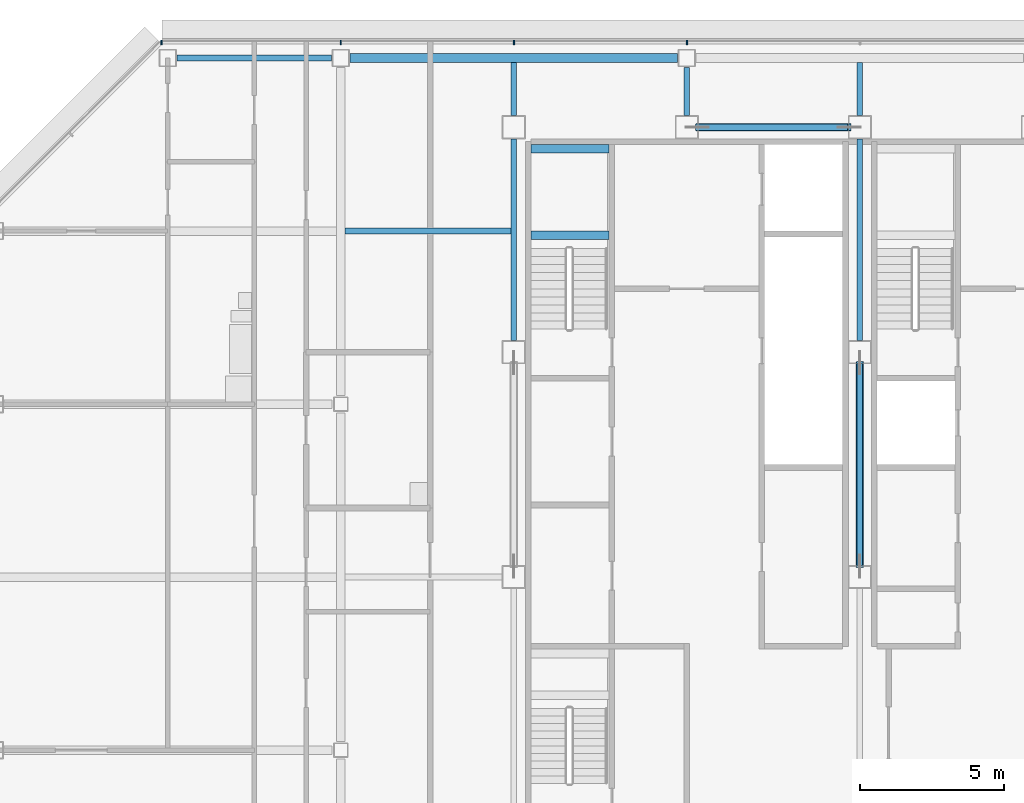
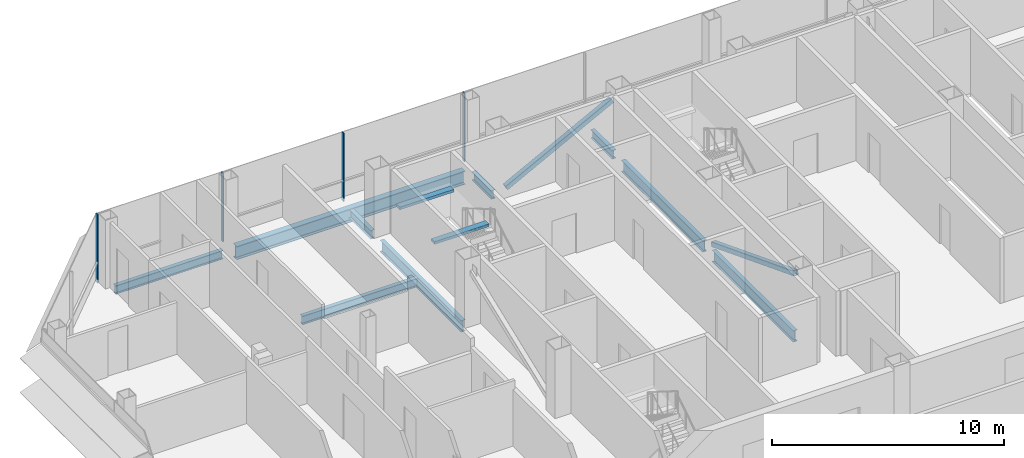
# One storey, part 13 of 27: 11 beams, 6 members, 1 element without a shape of its own.
"""IFC4 building model written with IfcOpenShell, lengths in metres."""

from ifc_helpers import new_model, si_unit, direction, frame, origin, origin_2d, place, context, subcontext, project, spatial, rectangle, hollow_rectangle, i_section, extrude, material, material_profile, profile_set, type_object, element, aggregate, save


model = new_model("IFC4")

# Units and contexts
model_context = context("Model", 3, precision=1e-05, world=origin(), true_north=direction((0.0, 1.0)))
body_context = subcontext(model_context, "Body", "Model", "MODEL_VIEW")
ifc_project = project(units=[si_unit("LENGTHUNIT", "METRE"), si_unit("AREAUNIT", "SQUARE_METRE"), si_unit("VOLUMEUNIT", "CUBIC_METRE"), si_unit("PLANEANGLEUNIT", "RADIAN"), si_unit("MASSUNIT", "GRAM", prefix="KILO")], contexts=[model_context])

# Site, building, storey
site_placement = place(None, origin())
site = spatial("IfcSite", under=ifc_project, at=site_placement, CompositionType="ELEMENT")
building_placement = place(site_placement, origin())
building = spatial("IfcBuilding", under=site, at=building_placement, Name="Sorahane Residences", CompositionType="ELEMENT")
storey_placement = place(building_placement, frame((0.0, 0.0, 246.800048828125)))
storey = spatial("IfcBuildingStorey", under=building, at=storey_placement, Name="L58", CompositionType="ELEMENT", Elevation=246.800048828125)

# Members
ifc_material_1 = material(Name="Steel Q355B", Category="steel")
ifc_material_profile_1 = material_profile(ifc_material_1, hollow_rectangle(XDim=0.25, YDim=0.25, WallThickness=0.013916015625, InnerFilletRadius=0.007080078125, OuterFilletRadius=0.02099609375, at=origin_2d()), Name="RHS 250x250x14")
ifc_profile_set_1 = profile_set([ifc_material_profile_1], Name="Steel Q355B")
member_type_1 = type_object("IfcMemberType", Name="Core brace RHS 250x250x14 Q355B", PredefinedType="BRACE", material=ifc_profile_set_1)
member_1_placement = place(storey_placement, frame((12.365234375, 45.60009765625, 0.106689453125), z_axis=(0.886099769192, 0.0, 0.46349455125), x_axis=(0.0, 1.0, 0.0)))
element("IfcMember", 1, at=member_1_placement, inside=storey, type_object=member_type_1, Name="Core brace L58 y45.6-2", PredefinedType="BRACE", context=body_context, shape_type="SweptSolid", body=[
    extrude(hollow_rectangle(XDim=0.25, YDim=0.25, WallThickness=0.013916015625, InnerFilletRadius=0.007080078125, OuterFilletRadius=0.02099609375, at=origin_2d()), origin(), (0.0, 0.0, 1.0), 5.94677734375),
])
member_2_placement = place(storey_placement, frame((18.0, 37.42724609375, 0.114501953125), z_axis=(0.0, -0.932112994653, 0.362167592697), x_axis=(1.0, 0.0, 0.0)))
element("IfcMember", 2, at=member_2_placement, inside=storey, type_object=member_type_1, Name="Core brace L58 x18-1", PredefinedType="BRACE", context=body_context, shape_type="SweptSolid", body=[
    extrude(hollow_rectangle(XDim=0.25, YDim=0.25, WallThickness=0.013916015625, InnerFilletRadius=0.007080078125, OuterFilletRadius=0.02099609375, at=origin_2d()), origin(), (0.0, 0.0, 1.0), 7.568115234375),
])

# Curtain wall, members
ifc_material_2 = material(Name="Dark low-e glass and black anodised aluminium", Category="aluminium")
curtain_wall_type = type_object("IfcCurtainWallType", Name="Curtain wall CW-1 Typical unitised wall", PredefinedType="NOTDEFINED", material=ifc_material_2)
curtain_wall_placement = place(storey_placement, origin())
curtain_wall = element("IfcCurtainWall", 3, at=curtain_wall_placement, inside=storey, type_object=curtain_wall_type, Name="CW-1 curtain wall L58 N1", PredefinedType="NOTDEFINED")
ifc_material_3 = material(Name="Black anodised aluminium", Category="aluminium")
ifc_material_profile_2 = material_profile(ifc_material_3, rectangle(XDim=0.159912109375, YDim=0.050048828125, at=origin_2d()), Name="Curtain wall mullion CW-1 black anodised aluminium 50x160")
ifc_profile_set_2 = profile_set([ifc_material_profile_2], Name="Black anodised aluminium")
member_type_2 = type_object("IfcMemberType", Name="Curtain wall mullion CW-1 black anodised aluminium 50x160", PredefinedType="MULLION", material=ifc_profile_set_2)
member_3_placement = place(storey_placement, frame((12.0, 48.5400390625, -0.179931640625), z_axis=(0.0, 0.0, 1.0), x_axis=(0.0, 1.0, 0.0)))
member_3 = element("IfcMember", 4, at=member_3_placement, type_object=member_type_2, Name="CW-1 mullion L58 N1.7", PredefinedType="MULLION", context=body_context, shape_type="SweptSolid", body=[
    extrude(rectangle(XDim=0.159912109375, YDim=0.050048828125, at=origin_2d()), origin(), (0.0, 0.0, 1.0), 3.599853515625),
])
member_4_placement = place(storey_placement, frame((6.0, 48.5400390625, -0.179931640625), z_axis=(0.0, 0.0, 1.0), x_axis=(0.0, 1.0, 0.0)))
member_4 = element("IfcMember", 5, at=member_4_placement, type_object=member_type_2, Name="CW-1 mullion L58 N1.8", PredefinedType="MULLION", context=body_context, shape_type="SweptSolid", body=[
    extrude(rectangle(XDim=0.159912109375, YDim=0.050048828125, at=origin_2d()), origin(), (0.0, 0.0, 1.0), 3.599853515625),
])
member_5_placement = place(storey_placement, frame((0.0, 48.5400390625, -0.179931640625), z_axis=(0.0, 0.0, 1.0), x_axis=(0.0, 1.0, 0.0)))
member_5 = element("IfcMember", 6, at=member_5_placement, type_object=member_type_2, Name="CW-1 mullion L58 N1.9", PredefinedType="MULLION", context=body_context, shape_type="SweptSolid", body=[
    extrude(rectangle(XDim=0.159912109375, YDim=0.050048828125, at=origin_2d()), origin(), (0.0, 0.0, 1.0), 3.599853515625),
])
member_6_placement = place(storey_placement, frame((-6.2236328125, 48.5400390625, -0.179931640625), z_axis=(0.0, 0.0, 1.0), x_axis=(0.0, 1.0, 0.0)))
member_6 = element("IfcMember", 7, at=member_6_placement, type_object=member_type_2, Name="CW-1 mullion L58 N1.10", PredefinedType="MULLION", context=body_context, shape_type="SweptSolid", body=[
    extrude(rectangle(XDim=0.159912109375, YDim=0.050048828125, at=origin_2d()), origin(), (0.0, 0.0, 1.0), 3.599853515625),
])
aggregate(curtain_wall, [member_3, member_4, member_5, member_6])

# Beams
ifc_material_4 = material(Name="Concrete C40", Category="concrete")
ifc_material_profile_3 = material_profile(ifc_material_4, rectangle(XDim=0.300048828125, YDim=0.139892578125, at=origin_2d()), Name="300x140")
ifc_profile_set_3 = profile_set([ifc_material_profile_3], Name="Concrete C40")
beam_type_1 = type_object("IfcBeamType", Name="RC landing beam 300 x 140 Concrete C40", PredefinedType="BEAM", material=ifc_profile_set_3)
for number, where, z_axis, x_axis, name in (
    (8, (6.60009765625, 41.85009765625, 1.530029296875), (1.0, 0.0, 0.0), (0.0, 1.0, 0.0), "Landing beam"),
    (9, (6.60009765625, 44.85009765625, 1.530029296875), (1.0, 0.0, 0.0), (0.0, 1.0, 0.0), "Landing beam"),
):
    element("IfcBeam", number, at=place(storey_placement, frame(where, z_axis=z_axis, x_axis=x_axis)), inside=storey, type_object=beam_type_1, Name=name, PredefinedType="BEAM", context=body_context, shape_type="SweptSolid", body=[
        extrude(rectangle(XDim=0.300048828125, YDim=0.139892578125, at=origin_2d()), origin(), (0.0, 0.0, 1.0), 2.699951171875),
    ])
ifc_material_5 = material(Name="Steel Q355B", Category="steel")
ifc_material_profile_4 = material_profile(ifc_material_5, i_section(OverallWidth=0.199951171875, OverallDepth=0.449951171875, WebThickness=0.009033203125, FlangeThickness=0.013916015625, FilletRadius=0.02001953125, at=origin_2d()), Name="HN 450x200x9x14")
ifc_profile_set_4 = profile_set([ifc_material_profile_4], Name="Steel Q355B")
beam_type_2 = type_object("IfcBeamType", Name="Steel floor beam HN 450x200x9x14 Q355B", PredefinedType="BEAM", material=ifc_profile_set_4)
beam_1_placement = place(storey_placement, frame((-5.675048828125, 48.0, -0.405029296875), z_axis=(1.0, 0.0, 0.0), x_axis=(0.0, 1.0, 0.0)))
element("IfcBeam", 10, at=beam_1_placement, inside=storey, type_object=beam_type_2, Name="Beam L58 015", PredefinedType="BEAM", context=body_context, shape_type="SweptSolid", body=[
    extrude(i_section(OverallWidth=0.199951171875, OverallDepth=0.449951171875, WebThickness=0.009033203125, FlangeThickness=0.013916015625, FilletRadius=0.02001953125, at=origin_2d()), origin(), (0.0, 0.0, 1.0), 5.35009765625),
])
beam_2_placement = place(storey_placement, frame((6.0, 46.0, -0.405029296875), z_axis=(0.0, 1.0, 0.0), x_axis=(-1.0, 0.0, 0.0)))
element("IfcBeam", 11, at=beam_2_placement, inside=storey, type_object=beam_type_2, Name="Beam L58 033", PredefinedType="BEAM", context=body_context, shape_type="SweptSolid", body=[
    extrude(i_section(OverallWidth=0.199951171875, OverallDepth=0.449951171875, WebThickness=0.009033203125, FlangeThickness=0.013916015625, FilletRadius=0.02001953125, at=origin_2d()), origin(), (0.0, 0.0, 1.0), 1.85009765625),
])
beam_3_placement = place(storey_placement, frame((12.0, 46.0, -0.405029296875), z_axis=(0.0, 1.0, 0.0), x_axis=(-1.0, 0.0, 0.0)))
element("IfcBeam", 12, at=beam_3_placement, inside=storey, type_object=beam_type_2, Name="Beam L58 035", PredefinedType="BEAM", context=body_context, shape_type="SweptSolid", body=[
    extrude(i_section(OverallWidth=0.199951171875, OverallDepth=0.449951171875, WebThickness=0.009033203125, FlangeThickness=0.013916015625, FilletRadius=0.02001953125, at=origin_2d()), origin(), (0.0, 0.0, 1.0), 1.675048828125),
])
beam_4_placement = place(storey_placement, frame((18.0, 46.0, -0.405029296875), z_axis=(0.0, 1.0, 0.0), x_axis=(-1.0, 0.0, 0.0)))
element("IfcBeam", 13, at=beam_4_placement, inside=storey, type_object=beam_type_2, Name="Beam L58 041", PredefinedType="BEAM", context=body_context, shape_type="SweptSolid", body=[
    extrude(i_section(OverallWidth=0.199951171875, OverallDepth=0.449951171875, WebThickness=0.009033203125, FlangeThickness=0.013916015625, FilletRadius=0.02001953125, at=origin_2d()), origin(), (0.0, 0.0, 1.0), 1.85009765625),
])
beam_5_placement = place(storey_placement, frame((0.14990234375, 42.0, -0.405029296875), z_axis=(1.0, 0.0, 0.0), x_axis=(0.0, 1.0, 0.0)))
element("IfcBeam", 14, at=beam_5_placement, inside=storey, type_object=beam_type_2, Name="Beam L58 090", PredefinedType="BEAM", context=body_context, shape_type="SweptSolid", body=[
    extrude(i_section(OverallWidth=0.199951171875, OverallDepth=0.449951171875, WebThickness=0.009033203125, FlangeThickness=0.013916015625, FilletRadius=0.02001953125, at=origin_2d()), origin(), (0.0, 0.0, 1.0), 5.75),
])
ifc_material_6 = material(Name="Steel Q355B", Category="steel")
ifc_material_profile_5 = material_profile(ifc_material_6, i_section(OverallWidth=0.199951171875, OverallDepth=0.60009765625, WebThickness=0.010986328125, FlangeThickness=0.01708984375, FilletRadius=0.02392578125, at=origin_2d()), Name="HN 600x200x11x17")
ifc_profile_set_5 = profile_set([ifc_material_profile_5], Name="Steel Q355B")
beam_type_3 = type_object("IfcBeamType", Name="Steel floor beam HN 600x200x11x17 Q355B", PredefinedType="BEAM", material=ifc_profile_set_5)
for number, where, z_axis, x_axis, name in (
    (15, (6.0, 38.199951171875, -0.47998046875), (0.0, 1.0, 0.0), (-1.0, 0.0, 0.0), "Beam L58 032"),
    (16, (18.0, 30.39990234375, -0.47998046875), (0.0, 1.0, 0.0), (-1.0, 0.0, 0.0), "Beam L58 039"),
    (17, (18.0, 38.199951171875, -0.47998046875), (0.0, 1.0, 0.0), (-1.0, 0.0, 0.0), "Beam L58 040"),
):
    element("IfcBeam", number, at=place(storey_placement, frame(where, z_axis=z_axis, x_axis=x_axis)), inside=storey, type_object=beam_type_3, Name=name, PredefinedType="BEAM", context=body_context, shape_type="SweptSolid", body=[
        extrude(i_section(OverallWidth=0.199951171875, OverallDepth=0.60009765625, WebThickness=0.010986328125, FlangeThickness=0.01708984375, FilletRadius=0.02392578125, at=origin_2d()), origin(), (0.0, 0.0, 1.0), 7.0),
    ])
ifc_material_7 = material(Name="Steel Q355B", Category="steel")
ifc_material_profile_6 = material_profile(ifc_material_7, i_section(OverallWidth=0.300048828125, OverallDepth=0.699951171875, WebThickness=0.012939453125, FlangeThickness=0.02392578125, FilletRadius=0.028076171875, at=origin_2d()), Name="HN 700x300x13x24")
ifc_profile_set_6 = profile_set([ifc_material_profile_6], Name="Steel Q355B")
beam_type_4 = type_object("IfcBeamType", Name="Steel floor beam HN 700x300x13x24 Q355B", PredefinedType="BEAM", material=ifc_profile_set_6)
beam_6_placement = place(storey_placement, frame((0.324951171875, 48.0, -0.530029296875), z_axis=(1.0, 0.0, 0.0), x_axis=(0.0, 1.0, 0.0)))
element("IfcBeam", 18, at=beam_6_placement, inside=storey, type_object=beam_type_4, Name="Beam L58 016", PredefinedType="BEAM", context=body_context, shape_type="SweptSolid", body=[
    extrude(i_section(OverallWidth=0.300048828125, OverallDepth=0.699951171875, WebThickness=0.012939453125, FlangeThickness=0.02392578125, FilletRadius=0.028076171875, at=origin_2d()), origin(), (0.0, 0.0, 1.0), 11.35009765625),
])

save(model, "model.ifc")
